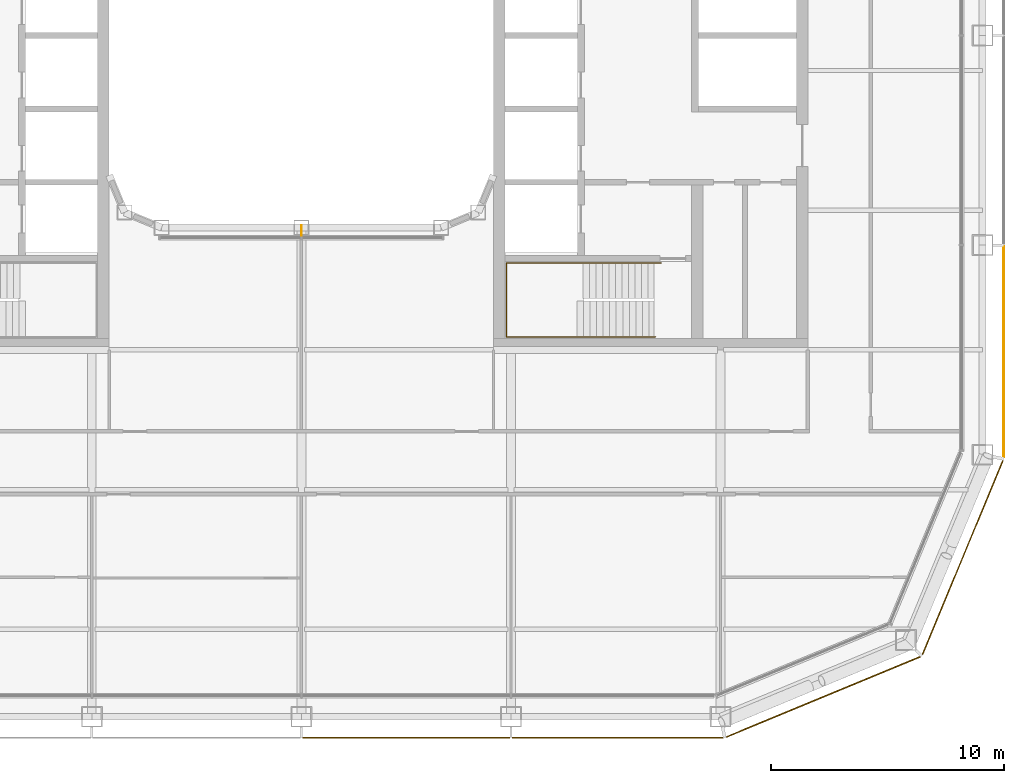
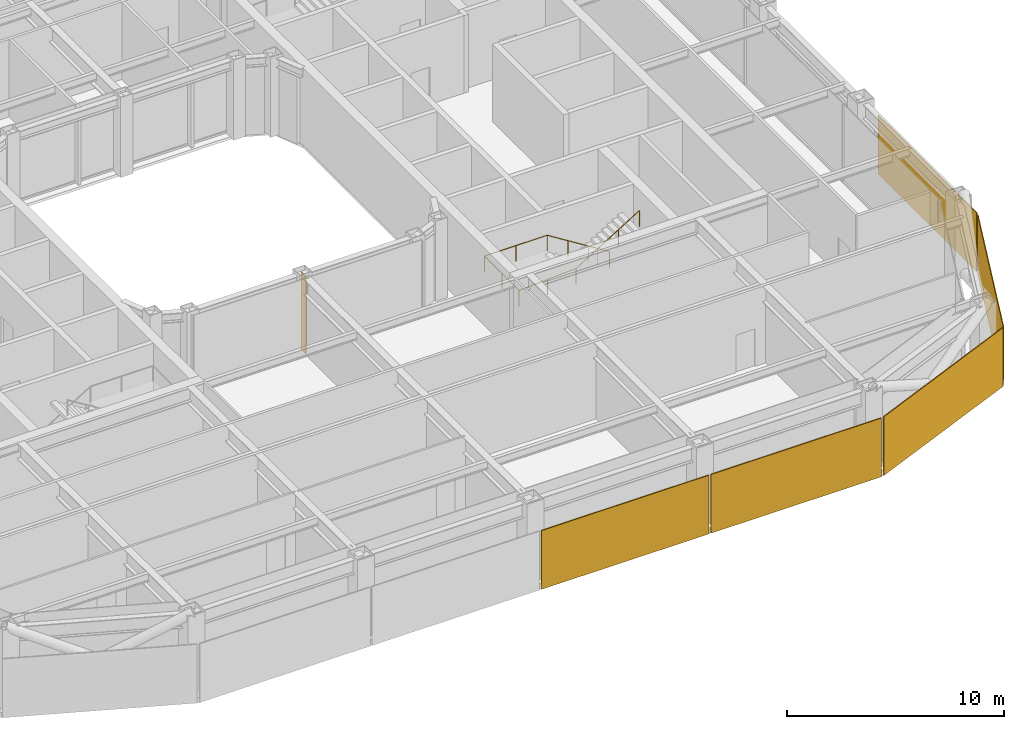
# One storey, part 19 of 23: 5 coverings, 1 railing, 1 shading device.
"""IFC4 building model written with IfcOpenShell, lengths in metres."""

from ifc_helpers import new_model, si_unit, direction, frame, origin, origin_2d, place, context, subcontext, project, spatial, rectangle, circle, extrude, material, layer, layer_set, type_object, element, save


model = new_model("IFC4")

# Units and contexts
model_context = context("Model", 3, precision=1e-05, world=origin(), true_north=direction((0.0, 1.0)))
body_context = subcontext(model_context, "Body", "Model", "MODEL_VIEW")
ifc_project = project(units=[si_unit("LENGTHUNIT", "METRE"), si_unit("AREAUNIT", "SQUARE_METRE"), si_unit("VOLUMEUNIT", "CUBIC_METRE"), si_unit("PLANEANGLEUNIT", "RADIAN"), si_unit("MASSUNIT", "GRAM", prefix="KILO")], contexts=[model_context])

# Site, building, storey
site_placement = place(None, origin())
site = spatial("IfcSite", under=ifc_project, at=site_placement, CompositionType="ELEMENT")
building_placement = place(site_placement, origin())
building = spatial("IfcBuilding", under=site, at=building_placement, Name="Siwar Civic Tower", CompositionType="ELEMENT")
storey_placement = place(building_placement, frame((0.0, 0.0, 154.199951171875)))
storey = spatial("IfcBuildingStorey", under=building, at=storey_placement, Name="L33", CompositionType="ELEMENT", Elevation=154.199951171875)

# Railing
ifc_material_1 = material(Name="Stainless steel", Category="steel")
railing_type = type_object("IfcRailingType", Name="CORE-STAIR-HANDRAIL", PredefinedType="HANDRAIL", material=ifc_material_1)
railing_placement = place(storey_placement, frame((15.449951171875, -9.758056640625, 0.173095703125)))
element("IfcRailing", 1, at=railing_placement, inside=storey, type_object=railing_type, Name="Stair handrail ST4", PredefinedType="HANDRAIL", context=body_context, shape_type="SweptSolid", body=[
    extrude(circle(Radius=0.02001953125, at=origin_2d()), frame((0.0, 0.0, 0.8798828125), z_axis=(-0.847063342986, 0.0, 0.531491950051), x_axis=(0.0, -1.0, 0.0)), (0.0, 0.0, 1.0), 3.90771484375),
    extrude(circle(Radius=0.02001953125, at=origin_2d()), frame((-3.31005859375, 0.0, 2.956787109375), z_axis=(-1.0, 0.0, 0.0), x_axis=(0.0, -1.0, 0.0)), (0.0, 0.0, 1.0), 3.331787109375),
    extrude(circle(Radius=0.02001953125, at=origin_2d()), frame((-6.641845703125, 0.0, 2.956787109375), z_axis=(0.0, -1.0, 0.0), x_axis=(1.0, 0.0, 0.0)), (0.0, 0.0, 1.0), 3.183837890625),
    extrude(circle(Radius=0.02001953125, at=origin_2d()), frame((-6.641845703125, -3.183837890625, 2.956787109375), z_axis=(0.99837434197, 0.0, 0.056997134106), x_axis=(0.0, 1.0, 0.0)), (0.0, 0.0, 1.0), 3.036865234375),
    extrude(circle(Radius=0.02001953125, at=origin_2d()), frame((-3.60986328125, -3.183837890625, 3.1298828125), z_axis=(0.850606129759, 0.0, 0.525803396734), x_axis=(0.0, 1.0, 0.0)), (0.0, 0.0, 1.0), 3.949951171875),
    extrude(circle(Radius=0.02001953125, at=origin_2d()), origin(), (0.0, 0.0, 1.0), 0.85986328125),
    extrude(circle(Radius=0.02001953125, at=origin_2d()), frame((-1.103271484375, 0.0, 0.6923828125)), (0.0, 0.0, 1.0), 0.85986328125),
    extrude(circle(Radius=0.02001953125, at=origin_2d()), frame((-2.206787109375, 0.0, 1.384521484375)), (0.0, 0.0, 1.0), 0.85986328125),
    extrude(circle(Radius=0.02001953125, at=origin_2d()), frame((-3.31005859375, 0.0, 2.076904296875)), (0.0, 0.0, 1.0), 0.85986328125),
    extrude(circle(Radius=0.02001953125, at=origin_2d()), frame((-4.97607421875, 0.0, 2.076904296875)), (0.0, 0.0, 1.0), 0.85986328125),
    extrude(circle(Radius=0.02001953125, at=origin_2d()), frame((-6.641845703125, 0.0, 2.076904296875)), (0.0, 0.0, 1.0), 0.85986328125),
    extrude(circle(Radius=0.02001953125, at=origin_2d()), frame((-6.641845703125, -1.591796875, 2.076904296875)), (0.0, 0.0, 1.0), 0.85986328125),
    extrude(circle(Radius=0.02001953125, at=origin_2d()), frame((-6.641845703125, -3.183837890625, 2.076904296875)), (0.0, 0.0, 1.0), 0.85986328125),
    extrude(circle(Radius=0.02001953125, at=origin_2d()), frame((-5.1259765625, -3.183837890625, 2.16357421875)), (0.0, 0.0, 1.0), 0.85986328125),
    extrude(circle(Radius=0.02001953125, at=origin_2d()), frame((-3.60986328125, -3.183837890625, 2.25)), (0.0, 0.0, 1.0), 0.85986328125),
    extrude(circle(Radius=0.02001953125, at=origin_2d()), frame((-2.489990234375, -3.183837890625, 2.9423828125)), (0.0, 0.0, 1.0), 0.85986328125),
    extrude(circle(Radius=0.02001953125, at=origin_2d()), frame((-1.369873046875, -3.183837890625, 3.634521484375)), (0.0, 0.0, 1.0), 0.85986328125),
    extrude(circle(Radius=0.02001953125, at=origin_2d()), frame((-0.25, -3.183837890625, 4.326904296875)), (0.0, 0.0, 1.0), 0.85986328125),
])

# Shading device
ifc_material_2 = material(Name="Aluminium 6063-T6", Category="aluminium")
ifc_layer_1 = layer(ifc_material_2, 0.02001953125)
ifc_layer_set_1 = layer_set([ifc_layer_1], Name="Aluminium 6063-T6")
shading_device_type = type_object("IfcShadingDeviceType", Name="ENV-FIN", PredefinedType="JALOUSIE", material=ifc_layer_set_1)
shading_device_placement = place(storey_placement, frame((0.0, -8.3701171875, 0.0), z_axis=(0.0, 0.0, 1.0), x_axis=(1.0, 0.0, 0.0)))
element("IfcShadingDevice", 2, at=shading_device_placement, inside=storey, type_object=shading_device_type, Name="SUNSHADE fin WS 1", PredefinedType="JALOUSIE", context=body_context, shape_type="SweptSolid", body=[
    extrude(rectangle(XDim=0.02001953125, YDim=0.449951171875, at=origin_2d()), origin(), (0.0, 0.0, 1.0), 4.35009765625),
])

# Coverings
ifc_material_3 = material(Name="Perforated aluminium cassette, pale metal", Category="aluminium")
ifc_layer_2 = layer(ifc_material_3, 0.0400390625)
ifc_layer_set_2 = layer_set([ifc_layer_2], Name="Perforated aluminium cassette, pale metal")
covering_type_1 = type_object("IfcCoveringType", Name="ENV-OUTER SKIN OS-1", PredefinedType="CLADDING", material=ifc_layer_set_2)
covering_1_placement = place(storey_placement, frame((30.14990234375, -13.57958984375, -0.14990234375), z_axis=(0.0, 0.0, 1.0), x_axis=(0.0, 1.0, 0.0)))
element("IfcCovering", 3, at=covering_1_placement, inside=storey, type_object=covering_type_1, Name="OUTER SKIN OS-1 E 1", PredefinedType="CLADDING", context=body_context, shape_type="SweptSolid", body=[
    extrude(rectangle(XDim=9.05908203125, YDim=0.0400390625, at=origin_2d()), origin(), (0.0, 0.0, 1.0), 3.300048828125),
])
ifc_material_4 = material(Name="Perforated aluminium cassette, pale metal", Category="aluminium")
ifc_layer_3 = layer(ifc_material_4, 0.044921875)
ifc_layer_set_3 = layer_set([ifc_layer_3], Name="Perforated aluminium cassette, pale metal")
covering_type_2 = type_object("IfcCoveringType", Name="ENV-OUTER SKIN OS-2", PredefinedType="CLADDING", material=ifc_layer_set_3)
covering_2_placement = place(storey_placement, frame((28.39697265625, -22.411376953125, -0.14990234375), z_axis=(0.0, 0.0, 1.0), x_axis=(0.382683432365, 0.923879532511, 0.0)))
element("IfcCovering", 4, at=covering_2_placement, inside=storey, type_object=covering_type_2, Name="OUTER SKIN OS-2 SE2 1", PredefinedType="CLADDING", context=body_context, shape_type="SweptSolid", body=[
    extrude(rectangle(XDim=9.022216796875, YDim=0.044921875, at=origin_2d()), origin(), (0.0, 0.0, 1.0), 3.300048828125),
])
ifc_material_5 = material(Name="Perforated aluminium cassette, pale metal", Category="aluminium")
ifc_layer_4 = layer(ifc_material_5, 0.050048828125)
ifc_layer_set_4 = layer_set([ifc_layer_4], Name="Perforated aluminium cassette, pale metal")
covering_type_3 = type_object("IfcCoveringType", Name="ENV-OUTER SKIN OS-3", PredefinedType="CLADDING", material=ifc_layer_set_4)
covering_3_placement = place(storey_placement, frame((22.411376953125, -28.39697265625, -0.14990234375), z_axis=(0.0, 0.0, 1.0), x_axis=(0.923879532511, 0.382683432365, 0.0)))
element("IfcCovering", 5, at=covering_3_placement, inside=storey, type_object=covering_type_3, Name="OUTER SKIN OS-3 SE1 1", PredefinedType="CLADDING", context=body_context, shape_type="SweptSolid", body=[
    extrude(rectangle(XDim=9.022216796875, YDim=0.050048828125, at=origin_2d()), origin(), (0.0, 0.0, 1.0), 3.300048828125),
])
ifc_material_6 = material(Name="Perforated aluminium cassette, pale metal", Category="aluminium")
ifc_layer_5 = layer(ifc_material_6, 0.054931640625)
ifc_layer_set_5 = layer_set([ifc_layer_5], Name="Perforated aluminium cassette, pale metal")
covering_type_4 = type_object("IfcCoveringType", Name="ENV-OUTER SKIN OS-4", PredefinedType="CLADDING", material=ifc_layer_set_5)
covering_4_placement = place(storey_placement, frame((4.5, -30.14990234375, -0.14990234375), z_axis=(0.0, 0.0, 1.0), x_axis=(1.0, 0.0, 0.0)))
element("IfcCovering", 6, at=covering_4_placement, inside=storey, type_object=covering_type_4, Name="OUTER SKIN OS-4 S 3", PredefinedType="CLADDING", context=body_context, shape_type="SweptSolid", body=[
    extrude(rectangle(XDim=8.89990234375, YDim=0.054931640625, at=origin_2d()), origin(), (0.0, 0.0, 1.0), 3.300048828125),
])
covering_5_placement = place(storey_placement, frame((13.57958984375, -30.14990234375, -0.14990234375), z_axis=(0.0, 0.0, 1.0), x_axis=(1.0, 0.0, 0.0)))
element("IfcCovering", 7, at=covering_5_placement, inside=storey, type_object=covering_type_4, Name="OUTER SKIN OS-4 S 4", PredefinedType="CLADDING", context=body_context, shape_type="SweptSolid", body=[
    extrude(rectangle(XDim=9.05908203125, YDim=0.054931640625, at=origin_2d()), origin(), (0.0, 0.0, 1.0), 3.300048828125),
])

save(model, "model.ifc")
